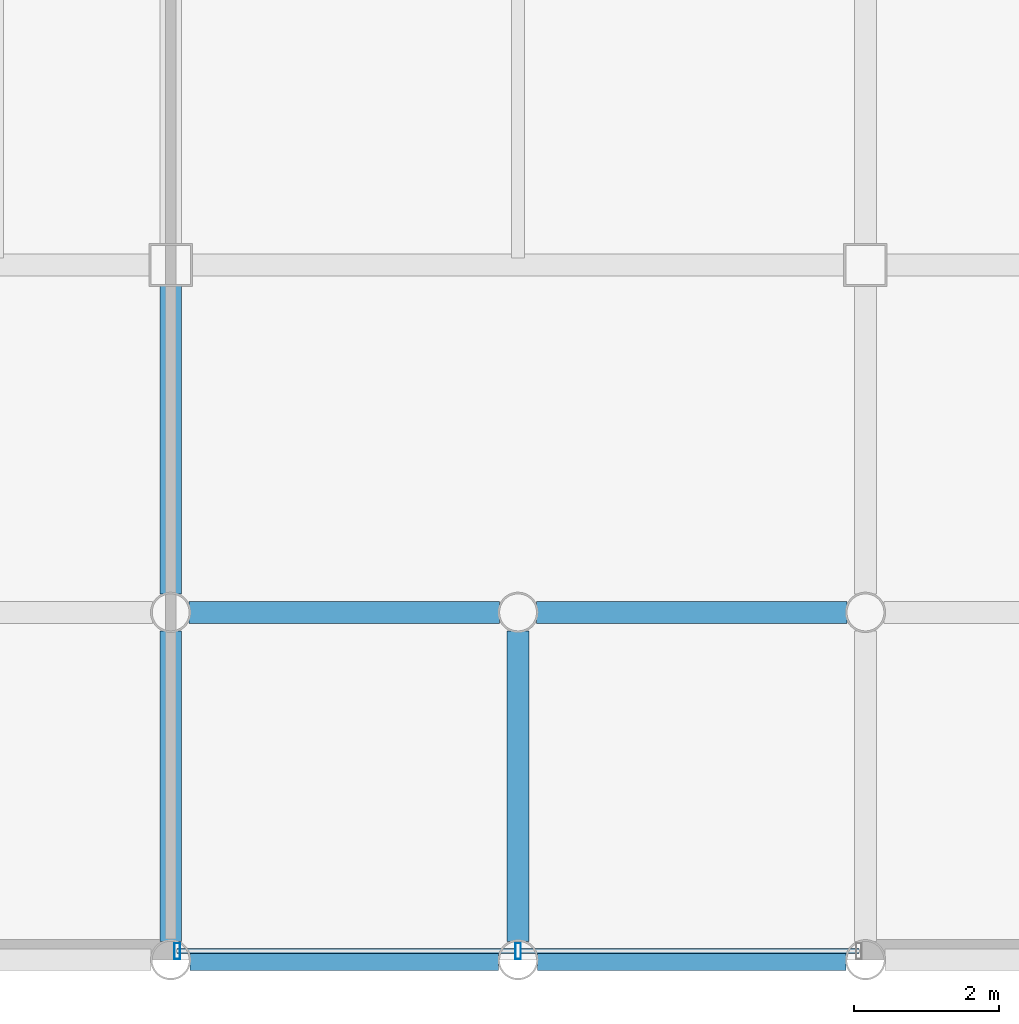
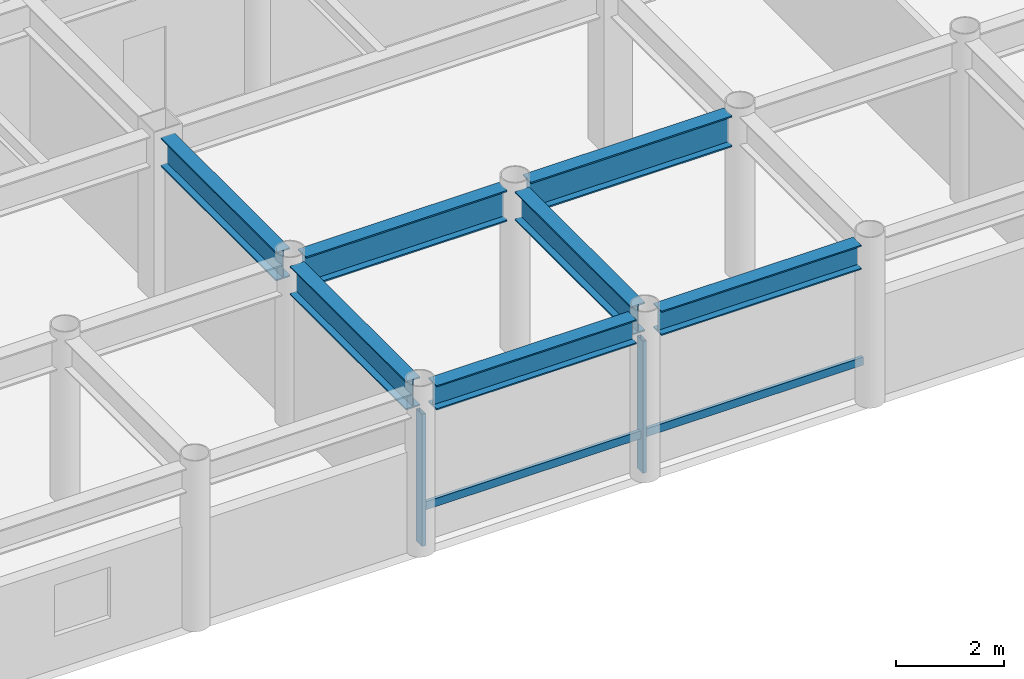
# One storey, part 4 of 21: 7 beams, 4 members, 1 element without a shape of its own.
"""IFC4 building model written with IfcOpenShell, lengths in metres."""

from ifc_helpers import new_model, si_unit, direction, frame, origin, origin_2d, place, context, subcontext, project, spatial, hollow_rectangle, i_section, extrude, material, layer, layer_set, material_profile, profile_set, type_object, element, aggregate, save


model = new_model("IFC4")

# Units and contexts
model_context = context("Model", 3, precision=1e-05, world=origin(), true_north=direction((0.0, 1.0)))
body_context = subcontext(model_context, "Body", "Model", "MODEL_VIEW")
ifc_project = project(units=[si_unit("LENGTHUNIT", "METRE"), si_unit("AREAUNIT", "SQUARE_METRE"), si_unit("VOLUMEUNIT", "CUBIC_METRE"), si_unit("PLANEANGLEUNIT", "RADIAN"), si_unit("MASSUNIT", "GRAM", prefix="KILO")], contexts=[model_context])

# Site, building, storey
site_placement = place(None, origin())
site = spatial("IfcSite", under=ifc_project, at=site_placement, CompositionType="ELEMENT")
building_placement = place(site_placement, origin())
building = spatial("IfcBuilding", under=site, at=building_placement, Name="Kallvorn Hotel Tower", CompositionType="ELEMENT")
storey_placement = place(building_placement, frame((0.0, 0.0, 214.60009765625)))
storey = spatial("IfcBuildingStorey", under=building, at=storey_placement, Name="L53", CompositionType="ELEMENT", Elevation=214.60009765625)

# Beams
ifc_material_1 = material(Name="Structural steel S355JR", Category="steel")
ifc_material_profile_1 = material_profile(ifc_material_1, i_section(OverallWidth=0.300048828125, OverallDepth=0.550048828125, WebThickness=0.014892578125, FlangeThickness=0.029052734375, at=origin_2d()), Name="HE 550 B")
ifc_profile_set_1 = profile_set([ifc_material_profile_1], Name="Structural steel S355JR")
beam_type_1 = type_object("IfcBeamType", Name="BM_HE550B", PredefinedType="SPANDREL", material=ifc_profile_set_1)
for number, where, z_axis, x_axis, name in (
    (1, (-4.530517578125, -24.0, 3.39501953125), (1.0, 0.0, 0.0), (0.0, 1.0, 0.0), "L54 Perimeter Spandrel 155"),
    (2, (0.26953125, -24.0, 3.39501953125), (1.0, 0.0, 0.0), (0.0, 1.0, 0.0), "L54 Perimeter Spandrel 156"),
):
    element("IfcBeam", number, at=place(storey_placement, frame(where, z_axis=z_axis, x_axis=x_axis)), inside=storey, type_object=beam_type_1, Name=name, PredefinedType="SPANDREL", context=body_context, shape_type="SweptSolid", body=[
        extrude(i_section(OverallWidth=0.300048828125, OverallDepth=0.550048828125, WebThickness=0.014892578125, FlangeThickness=0.029052734375, at=origin_2d()), origin(), (0.0, 0.0, 1.0), 4.260986328125),
    ])
ifc_material_2 = material(Name="Structural steel S355JR", Category="steel")
ifc_material_profile_2 = material_profile(ifc_material_2, i_section(OverallWidth=0.300048828125, OverallDepth=0.64990234375, WebThickness=0.01611328125, FlangeThickness=0.031005859375, at=origin_2d()), Name="HE 650 B")
ifc_profile_set_2 = profile_set([ifc_material_profile_2], Name="Structural steel S355JR")
beam_type_2 = type_object("IfcBeamType", Name="BM_HE650B", PredefinedType="BEAM", material=ifc_profile_set_2)
beam_1_placement = place(storey_placement, frame((-4.800048828125, -23.74560546875, 3.344970703125), z_axis=(0.0, 1.0, 0.0), x_axis=(-1.0, 0.0, 0.0)))
element("IfcBeam", 3, at=beam_1_placement, inside=storey, type_object=beam_type_2, Name="L54 Primary Y-Girder 105", PredefinedType="BEAM", context=body_context, shape_type="SweptSolid", body=[
    extrude(i_section(OverallWidth=0.300048828125, OverallDepth=0.64990234375, WebThickness=0.01611328125, FlangeThickness=0.031005859375, at=origin_2d()), origin(), (0.0, 0.0, 1.0), 4.291015625),
])
beam_2_placement = place(storey_placement, frame((-4.800048828125, -18.945556640625, 3.344970703125), z_axis=(0.0, 1.0, 0.0), x_axis=(-1.0, 0.0, 0.0)))
element("IfcBeam", 4, at=beam_2_placement, inside=storey, type_object=beam_type_2, Name="L54 Primary Y-Girder 106", PredefinedType="BEAM", context=body_context, shape_type="SweptSolid", body=[
    extrude(i_section(OverallWidth=0.300048828125, OverallDepth=0.64990234375, WebThickness=0.01611328125, FlangeThickness=0.031005859375, at=origin_2d()), origin(), (0.0, 0.0, 1.0), 4.2705078125),
])
beam_3_placement = place(storey_placement, frame((0.0, -23.74560546875, 3.344970703125), z_axis=(0.0, 1.0, 0.0), x_axis=(-1.0, 0.0, 0.0)))
element("IfcBeam", 5, at=beam_3_placement, inside=storey, type_object=beam_type_2, Name="L54 Primary Y-Girder 110", PredefinedType="BEAM", context=body_context, shape_type="SweptSolid", body=[
    extrude(i_section(OverallWidth=0.300048828125, OverallDepth=0.64990234375, WebThickness=0.01611328125, FlangeThickness=0.031005859375, at=origin_2d()), origin(), (0.0, 0.0, 1.0), 4.291015625),
])
ifc_material_3 = material(Name="Structural steel S355JR", Category="steel")
ifc_material_profile_3 = material_profile(ifc_material_3, i_section(OverallWidth=0.300048828125, OverallDepth=0.699951171875, WebThickness=0.01708984375, FlangeThickness=0.031982421875, at=origin_2d()), Name="HE 700 B")
ifc_profile_set_3 = profile_set([ifc_material_profile_3], Name="Structural steel S355JR")
beam_type_3 = type_object("IfcBeamType", Name="BM_HE700B", PredefinedType="BEAM", material=ifc_profile_set_3)
for number, where, z_axis, x_axis, name in (
    (6, (-4.54541015625, -19.199951171875, 3.31982421875), (1.0, 0.0, 0.0), (0.0, 1.0, 0.0), "L54 Primary X-Girder 06"),
    (7, (0.25439453125, -19.199951171875, 3.31982421875), (1.0, 0.0, 0.0), (0.0, 1.0, 0.0), "L54 Primary X-Girder 07"),
):
    element("IfcBeam", number, at=place(storey_placement, frame(where, z_axis=z_axis, x_axis=x_axis)), inside=storey, type_object=beam_type_3, Name=name, PredefinedType="BEAM", context=body_context, shape_type="SweptSolid", body=[
        extrude(i_section(OverallWidth=0.300048828125, OverallDepth=0.699951171875, WebThickness=0.01708984375, FlangeThickness=0.031982421875, at=origin_2d()), origin(), (0.0, 0.0, 1.0), 4.291015625),
    ])

# Curtain wall, members
ifc_material_4 = material(Name="Thermally broken black-anodised aluminium AA 6063-T6", Category="aluminium")
ifc_layer = layer(ifc_material_4, 0.22998046875)
ifc_layer_set = layer_set([ifc_layer], Name="CW_SYS_5_HOTEL_HIGH")
curtain_wall_type = type_object("IfcCurtainWallType", Name="CW_SYS_5_HOTEL_HIGH", PredefinedType="USERDEFINED", material=ifc_layer_set)
curtain_wall_placement = place(storey_placement, origin())
curtain_wall = element("IfcCurtainWall", 8, at=curtain_wall_placement, inside=storey, type_object=curtain_wall_type, Name="L53 Dark-Glass Curtain Wall CW-L53-SC", ObjectType="UNITISED CURTAIN WALL", PredefinedType="USERDEFINED")
ifc_material_5 = material(Name="Thermally broken black-anodised aluminium AA 6063-T6", Category="aluminium")
ifc_material_profile_4 = material_profile(ifc_material_5, hollow_rectangle(XDim=0.080078125, YDim=0.219970703125, WallThickness=0.0048828125, at=origin_2d()), Name="MUL 220x80")
ifc_profile_set_4 = profile_set([ifc_material_profile_4], Name="Thermally broken black-anodised aluminium AA 6063-T6")
member_type_1 = type_object("IfcMemberType", Name="CW_MULLION_220x80", PredefinedType="MULLION", material=ifc_profile_set_4)
member_1_placement = place(storey_placement, frame((-4.7099609375, -23.8798828125, 0.02001953125), z_axis=(0.0, 0.0, 1.0), x_axis=(1.0, 0.0, 0.0)))
member_1 = element("IfcMember", 9, at=member_1_placement, type_object=member_type_1, Name="CW-L53-SC Mullion 00", PredefinedType="MULLION", context=body_context, shape_type="SweptSolid", body=[
    extrude(hollow_rectangle(XDim=0.080078125, YDim=0.219970703125, WallThickness=0.0048828125, at=origin_2d()), origin(), (0.0, 0.0, 1.0), 2.97998046875),
])
member_2_placement = place(storey_placement, frame((0.0, -23.8798828125, 0.02001953125), z_axis=(0.0, 0.0, 1.0), x_axis=(1.0, 0.0, 0.0)))
member_2 = element("IfcMember", 10, at=member_2_placement, type_object=member_type_1, Name="CW-L53-SC Mullion 01", PredefinedType="MULLION", context=body_context, shape_type="SweptSolid", body=[
    extrude(hollow_rectangle(XDim=0.080078125, YDim=0.219970703125, WallThickness=0.0048828125, at=origin_2d()), origin(), (0.0, 0.0, 1.0), 2.97998046875),
])
ifc_material_6 = material(Name="Thermally broken black-anodised aluminium AA 6063-T6", Category="aluminium")
ifc_material_profile_5 = material_profile(ifc_material_6, hollow_rectangle(XDim=0.070068359375, YDim=0.179931640625, WallThickness=0.00390625, at=origin_2d()), Name="TRN 180x70")
ifc_profile_set_5 = profile_set([ifc_material_profile_5], Name="Thermally broken black-anodised aluminium AA 6063-T6")
member_type_2 = type_object("IfcMemberType", Name="CW_TRANSOM_180x70", PredefinedType="USERDEFINED", material=ifc_profile_set_5)
member_3_placement = place(storey_placement, frame((-4.7099609375, -23.8798828125, 0.849853515625), z_axis=(1.0, 0.0, 0.0), x_axis=(0.0, 1.0, 0.0)))
member_3 = element("IfcMember", 11, at=member_3_placement, type_object=member_type_2, Name="CW-L53-SC Transom 00M", ObjectType="TRANSOM", PredefinedType="USERDEFINED", context=body_context, shape_type="SweptSolid", body=[
    extrude(hollow_rectangle(XDim=0.070068359375, YDim=0.179931640625, WallThickness=0.00390625, at=origin_2d()), origin(), (0.0, 0.0, 1.0), 4.669921875),
])
member_4_placement = place(storey_placement, frame((0.0400390625, -23.8798828125, 0.849853515625), z_axis=(1.0, 0.0, 0.0), x_axis=(0.0, 1.0, 0.0)))
member_4 = element("IfcMember", 12, at=member_4_placement, type_object=member_type_2, Name="CW-L53-SC Transom 01M", ObjectType="TRANSOM", PredefinedType="USERDEFINED", context=body_context, shape_type="SweptSolid", body=[
    extrude(hollow_rectangle(XDim=0.070068359375, YDim=0.179931640625, WallThickness=0.00390625, at=origin_2d()), origin(), (0.0, 0.0, 1.0), 4.669921875),
])
aggregate(curtain_wall, [member_1, member_2, member_3, member_4])

save(model, "model.ifc")
